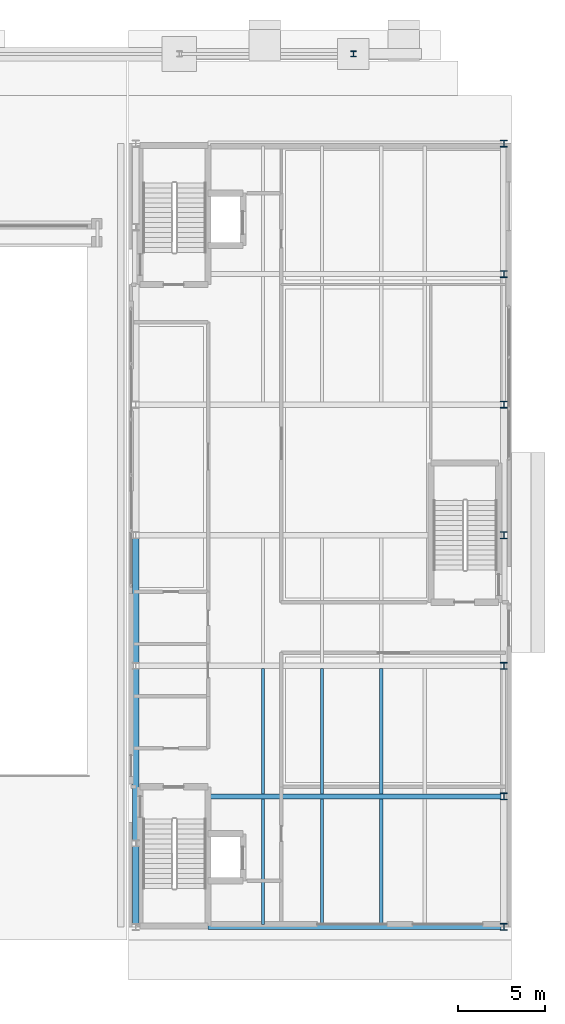
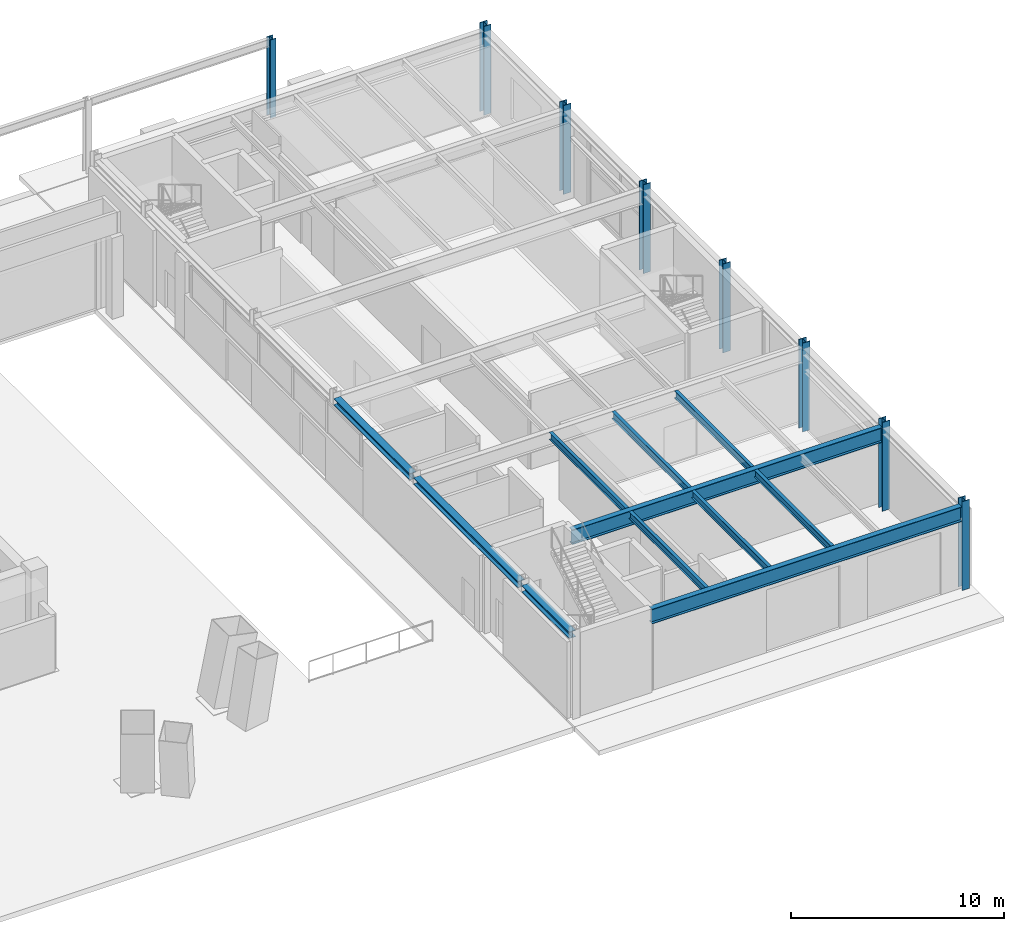
# One storey, part 4 of 21: 11 beams, 8 columns.
"""IFC4 building model written with IfcOpenShell, lengths in metres."""

from ifc_helpers import new_model, si_unit, direction, frame, origin, origin_2d, place, context, subcontext, project, spatial, i_section, extrude, material, material_profile, profile_set, type_object, element, save


model = new_model("IFC4")

# Units and contexts
model_context = context("Model", 3, precision=1e-05, world=origin(), true_north=direction((0.0, 1.0)))
body_context = subcontext(model_context, "Body", "Model", "MODEL_VIEW")
ifc_project = project(units=[si_unit("LENGTHUNIT", "METRE"), si_unit("AREAUNIT", "SQUARE_METRE"), si_unit("VOLUMEUNIT", "CUBIC_METRE"), si_unit("PLANEANGLEUNIT", "RADIAN"), si_unit("MASSUNIT", "GRAM", prefix="KILO")], contexts=[model_context])

# Site, building, storey
site_placement = place(None, origin())
site = spatial("IfcSite", under=ifc_project, at=site_placement, CompositionType="ELEMENT")
building_placement = place(site_placement, origin())
building = spatial("IfcBuilding", under=site, at=building_placement, Name="Mersakhor Tower and Convention Hall", CompositionType="ELEMENT")
storey_placement = place(building_placement, origin())
storey = spatial("IfcBuildingStorey", under=building, at=storey_placement, Name="L00", CompositionType="ELEMENT", Elevation=0.0)

# Columns
ifc_material_1 = material(Name="Steel S355", Category="steel")
ifc_material_profile_1 = material_profile(ifc_material_1, i_section(OverallWidth=0.314453125, OverallDepth=0.33984375, WebThickness=0.01904296875, FlangeThickness=0.031494140625, at=origin_2d()), Name="UC 305x305x198")
ifc_profile_set_1 = profile_set([ifc_material_profile_1], Name="Steel S355")
column_type_1 = type_object("IfcColumnType", Name="COL-STL-UC305", PredefinedType="COLUMN", material=ifc_profile_set_1)
column_placement = place(storey_placement, frame((68.0, 53.39990234375, -0.300048828125), z_axis=(0.0, 0.0, 1.0), x_axis=(1.0, 0.0, 0.0)))
element("IfcColumn", 1, at=column_placement, inside=storey, type_object=column_type_1, Name="Forecourt Canopy Column SC-8", PredefinedType="COLUMN", context=body_context, shape_type="SweptSolid", body=[
    extrude(i_section(OverallWidth=0.314453125, OverallDepth=0.33984375, WebThickness=0.01904296875, FlangeThickness=0.031494140625, at=origin_2d()), origin(), (0.0, 0.0, 1.0), 4.5),
])
ifc_material_2 = material(Name="Steel S355", Category="steel")
ifc_material_profile_2 = material_profile(ifc_material_2, i_section(OverallWidth=0.39892578125, OverallDepth=0.3935546875, WebThickness=0.022705078125, FlangeThickness=0.03662109375, at=origin_2d()), Name="UC 356x406x287")
ifc_profile_set_2 = profile_set([ifc_material_profile_2], Name="Steel S355")
column_type_2 = type_object("IfcColumnType", Name="COL-STL-UC356", PredefinedType="COLUMN", material=ifc_profile_set_2)
for number, where, z_axis, x_axis, name in (
    (2, (76.64990234375, 3.25, 0.0), (0.0, 0.0, 1.0), (1.0, 0.0, 0.0), "Convention L00 Perimeter Column SC-E1"),
    (3, (76.64990234375, 10.75, 0.0), (0.0, 0.0, 1.0), (1.0, 0.0, 0.0), "Convention L00 Perimeter Column SC-E2"),
    (4, (76.64990234375, 18.25, 0.0), (0.0, 0.0, 1.0), (1.0, 0.0, 0.0), "Convention L00 Perimeter Column SC-E3"),
    (5, (76.64990234375, 25.75, 0.0), (0.0, 0.0, 1.0), (1.0, 0.0, 0.0), "Convention L00 Perimeter Column SC-E4"),
    (6, (76.64990234375, 33.25, 0.0), (0.0, 0.0, 1.0), (1.0, 0.0, 0.0), "Convention L00 Perimeter Column SC-E5"),
    (7, (76.64990234375, 40.75, 0.0), (0.0, 0.0, 1.0), (1.0, 0.0, 0.0), "Convention L00 Perimeter Column SC-E6"),
    (8, (76.64990234375, 48.25, 0.0), (0.0, 0.0, 1.0), (1.0, 0.0, 0.0), "Convention L00 Perimeter Column SC-E7"),
):
    element("IfcColumn", number, at=place(storey_placement, frame(where, z_axis=z_axis, x_axis=x_axis)), inside=storey, type_object=column_type_2, Name=name, PredefinedType="COLUMN", context=body_context, shape_type="SweptSolid", body=[
        extrude(i_section(OverallWidth=0.39892578125, OverallDepth=0.3935546875, WebThickness=0.022705078125, FlangeThickness=0.03662109375, at=origin_2d()), origin(), (0.0, 0.0, 1.0), 5.10009765625),
    ])

# Beams
ifc_material_3 = material(Name="Steel S355", Category="steel")
ifc_material_profile_3 = material_profile(ifc_material_3, i_section(OverallWidth=0.1787109375, OverallDepth=0.409423828125, WebThickness=0.0087890625, FlangeThickness=0.014404296875, at=origin_2d()), Name="UB 406x178x67")
ifc_profile_set_3 = profile_set([ifc_material_profile_3], Name="Steel S355")
beam_type_1 = type_object("IfcBeamType", Name="BM-JST-406", PredefinedType="JOIST", material=ifc_profile_set_3)
for number, where, z_axis, x_axis, name in (
    (9, (62.800048828125, 3.39697265625, 4.5751953125), (0.0, 1.0, 0.0), (-1.0, 0.0, 0.0), "Convention L00 Composite Floor Joist CJ-1-62"),
    (10, (66.199951171875, 3.39697265625, 4.5751953125), (0.0, 1.0, 0.0), (-1.0, 0.0, 0.0), "Convention L00 Composite Floor Joist CJ-1-66"),
    (11, (69.60009765625, 3.39697265625, 4.5751953125), (0.0, 1.0, 0.0), (-1.0, 0.0, 0.0), "Convention L00 Composite Floor Joist CJ-1-69"),
    (12, (62.800048828125, 10.89697265625, 4.5751953125), (0.0, 1.0, 0.0), (-1.0, 0.0, 0.0), "Convention L00 Composite Floor Joist CJ-2-62"),
    (13, (66.199951171875, 10.89697265625, 4.5751953125), (0.0, 1.0, 0.0), (-1.0, 0.0, 0.0), "Convention L00 Composite Floor Joist CJ-2-66"),
    (14, (69.60009765625, 10.89697265625, 4.5751953125), (0.0, 1.0, 0.0), (-1.0, 0.0, 0.0), "Convention L00 Composite Floor Joist CJ-2-69"),
):
    element("IfcBeam", number, at=place(storey_placement, frame(where, z_axis=z_axis, x_axis=x_axis)), inside=storey, type_object=beam_type_1, Name=name, PredefinedType="JOIST", context=body_context, shape_type="SweptSolid", body=[
        extrude(i_section(OverallWidth=0.1787109375, OverallDepth=0.409423828125, WebThickness=0.0087890625, FlangeThickness=0.014404296875, at=origin_2d()), origin(), (0.0, 0.0, 1.0), 7.2060546875),
    ])
ifc_material_4 = material(Name="Steel S355", Category="steel")
ifc_material_profile_4 = material_profile(ifc_material_4, i_section(OverallWidth=0.293701171875, OverallDepth=0.850830078125, WebThickness=0.01611328125, FlangeThickness=0.02685546875, at=origin_2d()), Name="UB 838x292x226")
ifc_profile_set_4 = profile_set([ifc_material_profile_4], Name="Steel S355")
beam_type_2 = type_object("IfcBeamType", Name="BM-PR-838", PredefinedType="BEAM", material=ifc_profile_set_4)
for number, where, z_axis, x_axis, name in (
    (15, (59.64990234375, 3.25, 4.3544921875), (1.0, 0.0, 0.0), (0.0, 1.0, 0.0), "Convention L00 Clear-Span Girder CG-1"),
    (16, (59.64990234375, 10.75, 4.3544921875), (1.0, 0.0, 0.0), (0.0, 1.0, 0.0), "Convention L00 Clear-Span Girder CG-2"),
):
    element("IfcBeam", number, at=place(storey_placement, frame(where, z_axis=z_axis, x_axis=x_axis)), inside=storey, type_object=beam_type_2, Name=name, PredefinedType="BEAM", context=body_context, shape_type="SweptSolid", body=[
        extrude(i_section(OverallWidth=0.293701171875, OverallDepth=0.850830078125, WebThickness=0.01611328125, FlangeThickness=0.02685546875, at=origin_2d()), origin(), (0.0, 0.0, 1.0), 16.820068359375),
    ])
ifc_material_5 = material(Name="Steel S355", Category="steel")
ifc_material_profile_5 = material_profile(ifc_material_5, i_section(OverallWidth=0.374755859375, OverallDepth=0.37451171875, WebThickness=0.0166015625, FlangeThickness=0.027099609375, at=origin_2d()), Name="UC 356x368x202")
ifc_profile_set_5 = profile_set([ifc_material_profile_5], Name="Steel S355")
beam_type_3 = type_object("IfcBeamType", Name="BM-SPD-UC356", PredefinedType="SPANDREL", material=ifc_profile_set_5)
beam_1_placement = place(storey_placement, frame((55.5, 3.429931640625, 4.593017578125), z_axis=(0.0, 1.0, 0.0), x_axis=(-1.0, 0.0, 0.0)))
element("IfcBeam", 17, at=beam_1_placement, inside=storey, type_object=beam_type_3, Name="Convention L00 Edge Spandrel W1", PredefinedType="SPANDREL", context=body_context, shape_type="SweptSolid", body=[
    extrude(i_section(OverallWidth=0.374755859375, OverallDepth=0.37451171875, WebThickness=0.0166015625, FlangeThickness=0.027099609375, at=origin_2d()), origin(), (0.0, 0.0, 1.0), 4.440185546875),
])
beam_2_placement = place(storey_placement, frame((55.5, 8.22998046875, 4.593017578125), z_axis=(0.0, 1.0, 0.0), x_axis=(-1.0, 0.0, 0.0)))
element("IfcBeam", 18, at=beam_2_placement, inside=storey, type_object=beam_type_3, Name="Convention L00 Edge Spandrel W2", PredefinedType="SPANDREL", context=body_context, shape_type="SweptSolid", body=[
    extrude(i_section(OverallWidth=0.374755859375, OverallDepth=0.37451171875, WebThickness=0.0166015625, FlangeThickness=0.027099609375, at=origin_2d()), origin(), (0.0, 0.0, 1.0), 9.840087890625),
])
beam_3_placement = place(storey_placement, frame((55.5, 18.429931640625, 4.593017578125), z_axis=(0.0, 1.0, 0.0), x_axis=(-1.0, 0.0, 0.0)))
element("IfcBeam", 19, at=beam_3_placement, inside=storey, type_object=beam_type_3, Name="Convention L00 Edge Spandrel W3", PredefinedType="SPANDREL", context=body_context, shape_type="SweptSolid", body=[
    extrude(i_section(OverallWidth=0.374755859375, OverallDepth=0.37451171875, WebThickness=0.0166015625, FlangeThickness=0.027099609375, at=origin_2d()), origin(), (0.0, 0.0, 1.0), 7.14013671875),
])

save(model, "model.ifc")
